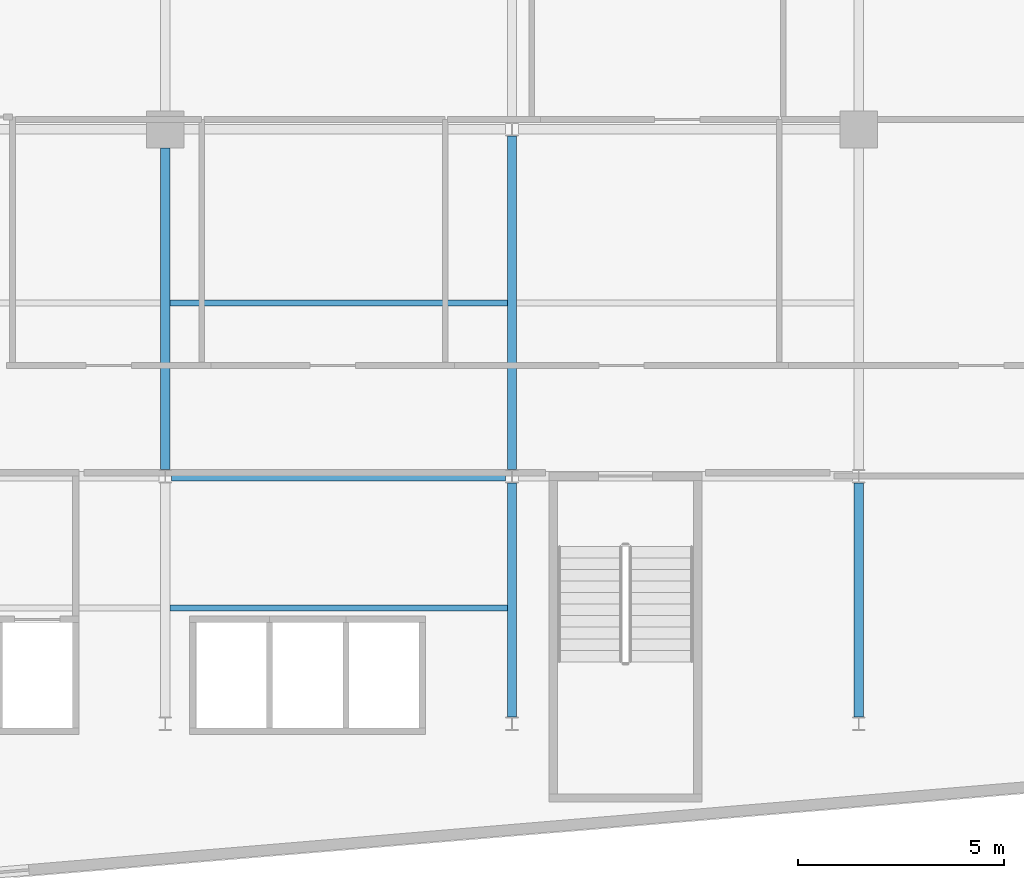
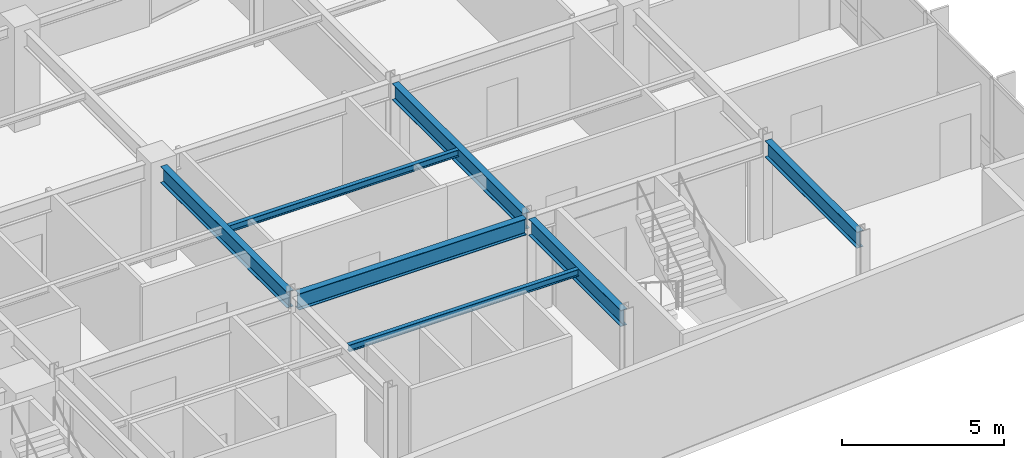
# One storey, part 4 of 21: 7 beams.
"""IFC4 building model written with IfcOpenShell, lengths in metres."""

from ifc_helpers import new_model, si_unit, direction, frame, origin, origin_2d, place, context, subcontext, project, spatial, i_section, extrude, material, material_profile, profile_set, type_object, element, save


model = new_model("IFC4")

# Units and contexts
model_context = context("Model", 3, precision=1e-05, world=origin(), true_north=direction((0.0, 1.0)))
body_context = subcontext(model_context, "Body", "Model", "MODEL_VIEW")
ifc_project = project(units=[si_unit("LENGTHUNIT", "METRE"), si_unit("AREAUNIT", "SQUARE_METRE"), si_unit("VOLUMEUNIT", "CUBIC_METRE"), si_unit("PLANEANGLEUNIT", "RADIAN"), si_unit("MASSUNIT", "GRAM", prefix="KILO")], contexts=[model_context])

# Site, building, storey
site_placement = place(None, origin())
site = spatial("IfcSite", under=ifc_project, at=site_placement, CompositionType="ELEMENT")
building_placement = place(site_placement, origin())
building = spatial("IfcBuilding", under=site, at=building_placement, Name="Varnakote Quay Hospital", CompositionType="ELEMENT")
storey_placement = place(building_placement, frame((0.0, 0.0, 77.800048828125)))
storey = spatial("IfcBuildingStorey", under=building, at=storey_placement, Name="L19", CompositionType="ELEMENT", Elevation=77.800048828125)

# Beams
ifc_material_1 = material(Name="Structural steel AS/NZS 3679.1 Grade 350 L0 (fy 340 MPa)", Category="steel")
ifc_material_profile_1 = material_profile(ifc_material_1, i_section(OverallWidth=0.22900390625, OverallDepth=0.612060546875, WebThickness=0.011962890625, FlangeThickness=0.01953125, FilletRadius=0.013916015625, at=origin_2d()), Name="610UB125")
ifc_profile_set_1 = profile_set([ifc_material_profile_1], Name="Structural steel AS/NZS 3679.1 Grade 350 L0 (fy 340 MPa)")
beam_type_1 = type_object("IfcBeamType", Name="BM-STL-610UB125", PredefinedType="BEAM", material=ifc_profile_set_1)
beam_1_placement = place(storey_placement, frame((33.755615234375, 12.0, 3.404052734375), z_axis=(1.0, 0.0, 0.0), x_axis=(0.0, 1.0, 0.0)))
element("IfcBeam", 1, at=beam_1_placement, inside=storey, type_object=beam_type_1, Name="L19 Primary Floor Beam", PredefinedType="BEAM", context=body_context, shape_type="SweptSolid", body=[
    extrude(i_section(OverallWidth=0.22900390625, OverallDepth=0.612060546875, WebThickness=0.011962890625, FlangeThickness=0.01953125, FilletRadius=0.013916015625, at=origin_2d()), origin(), (0.0, 0.0, 1.0), 8.0888671875),
])
beam_2_placement = place(storey_placement, frame((33.60009765625, 12.16357421875, 3.404052734375), z_axis=(0.0, 1.0, 0.0), x_axis=(-1.0, 0.0, 0.0)))
element("IfcBeam", 2, at=beam_2_placement, inside=storey, type_object=beam_type_1, Name="L19 Primary Tie Beam", PredefinedType="BEAM", context=body_context, shape_type="SweptSolid", body=[
    extrude(i_section(OverallWidth=0.22900390625, OverallDepth=0.612060546875, WebThickness=0.011962890625, FlangeThickness=0.01953125, FilletRadius=0.013916015625, at=origin_2d()), origin(), (0.0, 0.0, 1.0), 7.786376953125),
])
beam_3_placement = place(storey_placement, frame((42.0, 6.16357421875, 3.404052734375), z_axis=(0.0, 1.0, 0.0), x_axis=(-1.0, 0.0, 0.0)))
element("IfcBeam", 3, at=beam_3_placement, inside=storey, type_object=beam_type_1, Name="L19 Primary Tie Beam", PredefinedType="BEAM", context=body_context, shape_type="SweptSolid", body=[
    extrude(i_section(OverallWidth=0.22900390625, OverallDepth=0.612060546875, WebThickness=0.011962890625, FlangeThickness=0.01953125, FilletRadius=0.013916015625, at=origin_2d()), origin(), (0.0, 0.0, 1.0), 5.6728515625),
])
beam_4_placement = place(storey_placement, frame((42.0, 12.16357421875, 3.404052734375), z_axis=(0.0, 1.0, 0.0), x_axis=(-1.0, 0.0, 0.0)))
element("IfcBeam", 4, at=beam_4_placement, inside=storey, type_object=beam_type_1, Name="L19 Primary Tie Beam", PredefinedType="BEAM", context=body_context, shape_type="SweptSolid", body=[
    extrude(i_section(OverallWidth=0.22900390625, OverallDepth=0.612060546875, WebThickness=0.011962890625, FlangeThickness=0.01953125, FilletRadius=0.013916015625, at=origin_2d()), origin(), (0.0, 0.0, 1.0), 8.072998046875),
])
beam_5_placement = place(storey_placement, frame((50.39990234375, 6.16357421875, 3.404052734375), z_axis=(0.0, 1.0, 0.0), x_axis=(-1.0, 0.0, 0.0)))
element("IfcBeam", 5, at=beam_5_placement, inside=storey, type_object=beam_type_1, Name="L19 Primary Tie Beam", PredefinedType="BEAM", context=body_context, shape_type="SweptSolid", body=[
    extrude(i_section(OverallWidth=0.22900390625, OverallDepth=0.612060546875, WebThickness=0.011962890625, FlangeThickness=0.01953125, FilletRadius=0.013916015625, at=origin_2d()), origin(), (0.0, 0.0, 1.0), 5.6728515625),
])
ifc_material_2 = material(Name="Structural steel AS/NZS 3679.1 Grade 350 L0 (fy 340 MPa)", Category="steel")
ifc_material_profile_2 = material_profile(ifc_material_2, i_section(OverallWidth=0.14599609375, OverallDepth=0.256103515625, WebThickness=0.00634765625, FlangeThickness=0.010986328125, FilletRadius=0.0087890625, at=origin_2d()), Name="250UB37.3")
ifc_profile_set_2 = profile_set([ifc_material_profile_2], Name="Structural steel AS/NZS 3679.1 Grade 350 L0 (fy 340 MPa)")
beam_type_2 = type_object("IfcBeamType", Name="JST-STL-250UB37-3", PredefinedType="JOIST", material=ifc_profile_set_2)
for number, where, z_axis, x_axis, name in (
    (6, (33.714599609375, 8.800048828125, 3.58203125), (1.0, 0.0, 0.0), (0.0, 1.0, 0.0), "L19 Composite Floor Joist"),
    (7, (33.714599609375, 16.199951171875, 3.58203125), (1.0, 0.0, 0.0), (0.0, 1.0, 0.0), "L19 Composite Floor Joist"),
):
    element("IfcBeam", number, at=place(storey_placement, frame(where, z_axis=z_axis, x_axis=x_axis)), inside=storey, type_object=beam_type_2, Name=name, PredefinedType="JOIST", context=body_context, shape_type="SweptSolid", body=[
        extrude(i_section(OverallWidth=0.14599609375, OverallDepth=0.256103515625, WebThickness=0.00634765625, FlangeThickness=0.010986328125, FilletRadius=0.0087890625, at=origin_2d()), origin(), (0.0, 0.0, 1.0), 8.1708984375),
    ])

save(model, "model.ifc")
